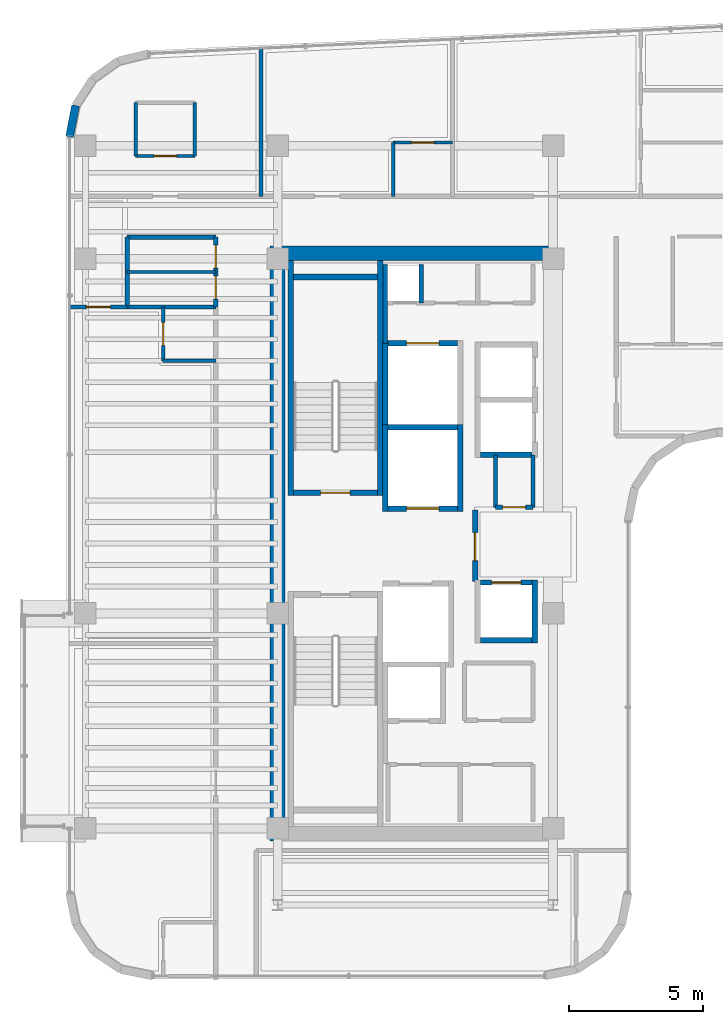
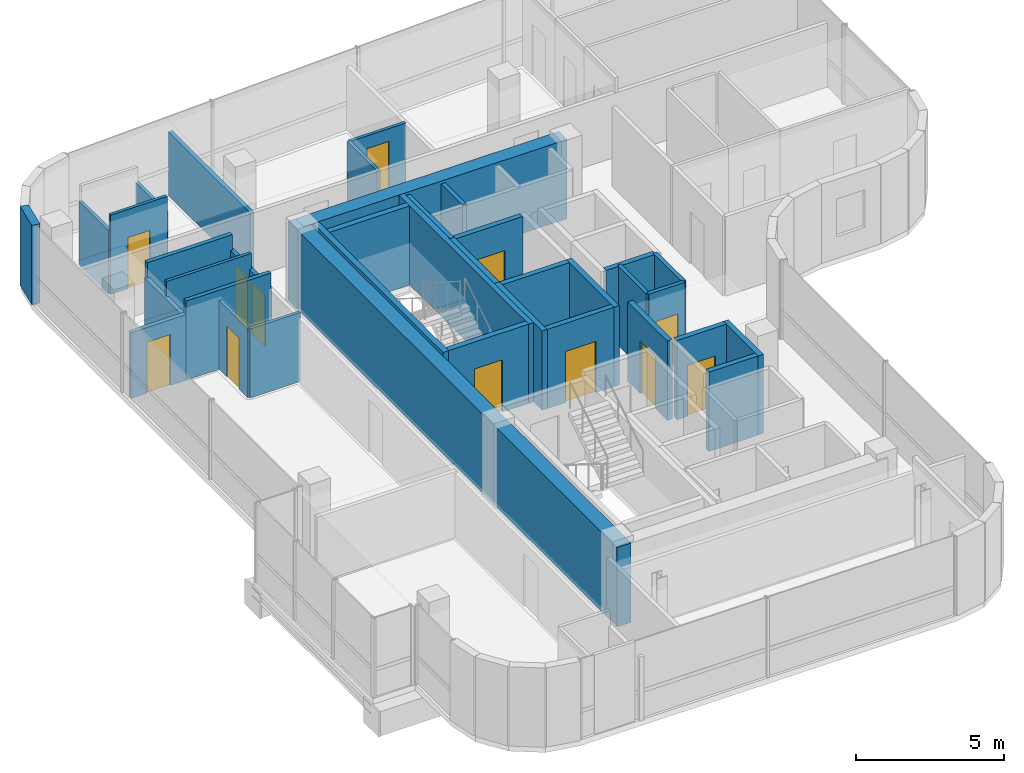
# One storey, part 15 of 19: 37 walls, 12 doors, 12 openings.
"""IFC4 building model written with IfcOpenShell, lengths in metres."""

from ifc_helpers import new_model, si_unit, direction, frame, frame_2d, origin, place, context, subcontext, project, spatial, rectangle, extrude, material, layer, layer_set, type_object, element, fill, save


model = new_model("IFC4")

# Units and contexts
model_context = context("Model", 3, precision=1e-05, world=origin(), true_north=direction((0.0, 1.0)))
body_context = subcontext(model_context, "Body", "Model", "MODEL_VIEW")
ifc_project = project(units=[si_unit("LENGTHUNIT", "METRE"), si_unit("AREAUNIT", "SQUARE_METRE"), si_unit("VOLUMEUNIT", "CUBIC_METRE"), si_unit("PLANEANGLEUNIT", "RADIAN"), si_unit("MASSUNIT", "GRAM", prefix="KILO")], contexts=[model_context])

# Site, building, storey
site_placement = place(None, origin())
site = spatial("IfcSite", under=ifc_project, at=site_placement, CompositionType="ELEMENT")
building_placement = place(site_placement, origin())
building = spatial("IfcBuilding", under=site, at=building_placement, Name="Valdorenza Pilgrim Sanctuary Tower", CompositionType="ELEMENT")
storey_placement = place(building_placement, frame((0.0, 0.0, 266.0)))
storey = spatial("IfcBuildingStorey", under=building, at=storey_placement, Name="L69", CompositionType="ELEMENT", Elevation=266.0)

# Walls
ifc_material_1 = material(Name="Acoustic twin-stud gypsum partition", Category="gypsum")
ifc_layer_1 = layer(ifc_material_1, 0.159912109375, Name="Acoustic twin-stud gypsum partition")
ifc_layer_set_1 = layer_set([ifc_layer_1], Name="Acoustic twin-stud gypsum partition")
wall_type_1 = type_object("IfcWallType", Name="WAL-COR-160", PredefinedType="PARTITIONING", material=ifc_layer_set_1)
wall_1_placement = place(storey_placement, frame((-18.64990234375, 7.449951171875, 0.0), z_axis=(0.0, 0.0, 1.0), x_axis=(0.0, 1.0, 0.0)))
element("IfcWall", 1, at=wall_1_placement, inside=storey, type_object=wall_type_1, Name="L69 Core A North Service West Wall", PredefinedType="PARTITIONING", context=body_context, shape_type="SweptSolid", body=[
    extrude(rectangle(XDim=2.929931640625, YDim=0.159912109375, at=frame_2d((1.46484375, 0.0))), origin(), (0.0, 0.0, 1.0), 3.260009765625),
])
wall_2_placement = place(storey_placement, frame((-17.300048828125, 8.949951171875, 0.0), z_axis=(0.0, 0.0, 1.0), x_axis=(0.0, 1.0, 0.0)))
element("IfcWall", 2, at=wall_2_placement, inside=storey, type_object=wall_type_1, Name="L69 Core Electrical Riser Wall", PredefinedType="PARTITIONING", context=body_context, shape_type="SweptSolid", body=[
    extrude(rectangle(XDim=1.429931640625, YDim=0.159912109375, at=frame_2d((0.71484375, 0.0))), origin(), (0.0, 0.0, 1.0), 3.260009765625),
])
wall_3_placement = place(storey_placement, frame((-13.14990234375, 1.35009765625, 0.0), z_axis=(0.0, 0.0, 1.0), x_axis=(0.0, 1.0, 0.0)))
element("IfcWall", 3, at=wall_3_placement, inside=storey, type_object=wall_type_1, Name="L69 Freed Shaft 6 East Wall", PredefinedType="PARTITIONING", context=body_context, shape_type="SweptSolid", body=[
    extrude(rectangle(XDim=1.949951171875, YDim=0.159912109375, at=frame_2d((0.97509765625, 0.0))), origin(), (0.0, 0.0, 1.0), 3.260009765625),
])
wall_4_placement = place(storey_placement, frame((-28.25, 8.800048828125, 0.0), z_axis=(0.0, 0.0, 1.0), x_axis=(0.0, 1.0, 0.0)))
element("IfcWall", 4, at=wall_4_placement, inside=storey, type_object=wall_type_1, Name="L69 Washroom West Wall", PredefinedType="PARTITIONING", context=body_context, shape_type="SweptSolid", body=[
    extrude(rectangle(XDim=2.599853515625, YDim=0.159912109375, at=frame_2d((1.2998046875, 0.0))), origin(), (0.0, 0.0, 1.0), 2.623046875),
])

# Wall, openings, doors
wall_5_placement = place(storey_placement, frame((-24.949951171875, 8.800048828125, 0.0), z_axis=(0.0, 0.0, 1.0), x_axis=(0.0, 1.0, 0.0)))
wall_5 = element("IfcWall", 5, at=wall_5_placement, inside=storey, type_object=wall_type_1, Name="L69 Washroom East Wall", PredefinedType="PARTITIONING", context=body_context, shape_type="SweptSolid", body=[
    extrude(rectangle(XDim=2.599853515625, YDim=0.159912109375, at=frame_2d((1.2998046875, 0.0))), origin(), (0.0, 0.0, 1.0), 2.623046875),
])
opening_1_placement = place(wall_5_placement, frame((0.300048828125, 0.0, 0.0)))
opening_1 = element("IfcOpeningElement", 6, at=opening_1_placement, cuts=wall_5, Name="Opening DR-WC1", PredefinedType="OPENING", context=body_context, shape_type="SweptSolid", body=[
    extrude(rectangle(XDim=0.85009765625, YDim=2.10009765625, at=frame_2d((0.425048828125, 1.050048828125))), frame((0.0, 0.0947265625, 0.0), z_axis=(0.0, -1.0, 0.0), x_axis=(1.0, 0.0, 0.0)), (0.0, 0.0, 1.0), 0.189697265625),
])
opening_2_placement = place(wall_5_placement, frame((1.449951171875, 0.0, 0.0)))
opening_2 = element("IfcOpeningElement", 7, at=opening_2_placement, cuts=wall_5, Name="Opening DR-WC1", PredefinedType="OPENING", context=body_context, shape_type="SweptSolid", body=[
    extrude(rectangle(XDim=0.85009765625, YDim=2.10009765625, at=frame_2d((0.425048828125, 1.050048828125))), frame((0.0, 0.0947265625, 0.0), z_axis=(0.0, -1.0, 0.0), x_axis=(1.0, 0.0, 0.0)), (0.0, 0.0, 1.0), 0.189697265625),
])
ifc_material_2 = material(Name="Moisture-resistant lacquered timber", Category="wood")
door_type_1 = type_object("IfcDoorType", Name="DR-BATH-850", OperationType="NOTDEFINED", PredefinedType="DOOR", material=ifc_material_2)
door_1_placement = place(opening_1_placement, origin())
door_1 = element("IfcDoor", 8, at=door_1_placement, inside=storey, type_object=door_type_1, Name="L69 Accessible Washroom Door", OperationType="SINGLE_SWING_RIGHT", OverallHeight=2.10009765625, OverallWidth=0.85009765625, PredefinedType="DOOR", context=body_context, shape_type="SweptSolid", body=[
    extrude(rectangle(XDim=0.85009765625, YDim=2.10009765625, at=frame_2d((0.425048828125, 1.050048828125))), frame((0.0, 0.02490234375, 0.0), z_axis=(0.0, -1.0, 0.0), x_axis=(1.0, 0.0, 0.0)), (0.0, 0.0, 1.0), 0.050048828125),
])
fill(opening_1, door_1)
door_2_placement = place(opening_2_placement, origin())
door_2 = element("IfcDoor", 9, at=door_2_placement, inside=storey, type_object=door_type_1, Name="L69 Public Washroom Door", OperationType="SINGLE_SWING_LEFT", OverallHeight=2.10009765625, OverallWidth=0.85009765625, PredefinedType="DOOR", context=body_context, shape_type="SweptSolid", body=[
    extrude(rectangle(XDim=0.85009765625, YDim=2.10009765625, at=frame_2d((0.425048828125, 1.050048828125))), frame((0.0, 0.02490234375, 0.0), z_axis=(0.0, -1.0, 0.0), x_axis=(1.0, 0.0, 0.0)), (0.0, 0.0, 1.0), 0.050048828125),
])
fill(opening_2, door_2)

# Walls
for number, where, z_axis, x_axis, name in (
    (10, (-28.25, 8.800048828125, 0.0), (0.0, 0.0, 1.0), (1.0, 0.0, 0.0), "L69 Washroom South Wall"),
    (11, (-28.25, 11.39990234375, 0.0), (0.0, 0.0, 1.0), (1.0, 0.0, 0.0), "L69 Washroom North Wall"),
):
    element("IfcWall", number, at=place(storey_placement, frame(where, z_axis=z_axis, x_axis=x_axis)), inside=storey, type_object=wall_type_1, Name=name, PredefinedType="PARTITIONING", context=body_context, shape_type="SweptSolid", body=[
        extrude(rectangle(XDim=3.300048828125, YDim=0.159912109375, at=frame_2d((1.64990234375, 0.0))), origin(), (0.0, 0.0, 1.0), 3.260009765625),
    ])

# Wall, opening, door
wall_6_placement = place(storey_placement, frame((-30.389892578125, 8.800048828125, 0.0), z_axis=(0.0, 0.0, 1.0), x_axis=(1.0, 0.0, 0.0)))
wall_6 = element("IfcWall", 12, at=wall_6_placement, inside=storey, type_object=wall_type_1, Name="L69 West North Alcove Wall", PredefinedType="PARTITIONING", context=body_context, shape_type="SweptSolid", body=[
    extrude(rectangle(XDim=2.139892578125, YDim=0.159912109375, at=frame_2d((1.06982421875, 0.0))), origin(), (0.0, 0.0, 1.0), 2.7060546875),
])
opening_3_placement = place(wall_6_placement, frame((0.6201171875, 0.0, 0.0)))
opening_3 = element("IfcOpeningElement", 13, at=opening_3_placement, cuts=wall_6, Name="Opening DR-RM1", PredefinedType="OPENING", context=body_context, shape_type="SweptSolid", body=[
    extrude(rectangle(XDim=0.89990234375, YDim=2.10009765625, at=frame_2d((0.449951171875, 1.050048828125))), frame((0.0, 0.0947265625, 0.0), z_axis=(0.0, -1.0, 0.0), x_axis=(1.0, 0.0, 0.0)), (0.0, 0.0, 1.0), 0.189697265625),
])
ifc_material_3 = material(Name="Solid-core European oak timber", Category="wood")
door_type_2 = type_object("IfcDoorType", Name="DR-ROOM-900", OperationType="NOTDEFINED", PredefinedType="DOOR", material=ifc_material_3)
door_3_placement = place(opening_3_placement, origin())
door_3 = element("IfcDoor", 14, at=door_3_placement, inside=storey, type_object=door_type_2, Name="L69 Pilgrim Scholar Office L69-WN Door", OperationType="SINGLE_SWING_RIGHT", OverallHeight=2.10009765625, OverallWidth=0.89990234375, PredefinedType="DOOR", context=body_context, shape_type="SweptSolid", body=[
    extrude(rectangle(XDim=0.89990234375, YDim=2.10009765625, at=frame_2d((0.449951171875, 1.050048828125))), frame((0.0, 0.02490234375, 0.0), z_axis=(0.0, -1.0, 0.0), x_axis=(1.0, 0.0, 0.0)), (0.0, 0.0, 1.0), 0.050048828125),
])
fill(opening_3, door_3)

# Walls
ifc_material_4 = material(Name="Concrete C50/60", Category="concrete")
ifc_layer_2 = layer(ifc_material_4, 0.550048828125, Name="Concrete C50/60")
ifc_layer_set_2 = layer_set([ifc_layer_2], Name="Concrete C50/60")
wall_type_2 = type_object("IfcWallType", Name="WAL-COR-550", PredefinedType="SHEAR", material=ifc_layer_set_2)
wall_7_placement = place(storey_placement, frame((-22.64990234375, -11.074951171875, 0.0), z_axis=(0.0, 0.0, 1.0), x_axis=(0.0, 1.0, 0.0)))
element("IfcWall", 15, at=wall_7_placement, inside=storey, type_object=wall_type_2, Name="L69 Split Core A Shear Wall W", PredefinedType="SHEAR", context=body_context, shape_type="SweptSolid", body=[
    extrude(rectangle(XDim=22.14990234375, YDim=0.550048828125, at=frame_2d((11.074951171875, 0.0))), origin(), (0.0, 0.0, 1.0), 3.260009765625),
])
wall_8_placement = place(storey_placement, frame((-22.64990234375, 10.800048828125, 0.0), z_axis=(0.0, 0.0, 1.0), x_axis=(1.0, 0.0, 0.0)))
element("IfcWall", 16, at=wall_8_placement, inside=storey, type_object=wall_type_2, Name="L69 Split Core A Shear Wall N", PredefinedType="SHEAR", context=body_context, shape_type="SweptSolid", body=[
    extrude(rectangle(XDim=10.25, YDim=0.550048828125, at=frame_2d((5.125, 0.0))), origin(), (0.0, 0.0, 1.0), 3.260009765625),
])
ifc_material_5 = material(Name="Honed travertine limestone", Category="masonry")
ifc_layer_3 = layer(ifc_material_5, 0.300048828125, Name="Honed travertine limestone")
ifc_layer_set_3 = layer_set([ifc_layer_3], Name="Honed travertine limestone")
wall_type_3 = type_object("IfcWallType", Name="WAL-EXT-300", PredefinedType="SOLIDWALL", material=ifc_layer_set_3)
wall_9_placement = place(storey_placement, frame((-30.389892578125, 15.13671875, 0.0), z_axis=(0.0, 0.0, 1.0), x_axis=(0.189307792679, 0.981917796779, 0.0)))
element("IfcWall", 17, at=wall_9_placement, inside=storey, type_object=wall_type_3, Name="L69 Rounded Wind-Corner Stone Pier 2", PredefinedType="SOLIDWALL", context=body_context, shape_type="SweptSolid", body=[
    extrude(rectangle(XDim=1.179931640625, YDim=0.300048828125, at=frame_2d((0.58984375, 0.0))), origin(), (0.0, 0.0, 1.0), 3.260009765625),
])

# Wall, opening, door
ifc_material_6 = material(Name="Gypsum shaftwall partition", Category="gypsum")
ifc_layer_4 = layer(ifc_material_6, 0.199951171875, Name="Gypsum shaftwall partition")
ifc_layer_set_4 = layer_set([ifc_layer_4], Name="Gypsum shaftwall partition")
wall_type_4 = type_object("IfcWallType", Name="WAL-FFL-200", PredefinedType="PARTITIONING", material=ifc_layer_set_4)
wall_10_placement = place(storey_placement, frame((-15.300048828125, -1.419921875, 0.0), z_axis=(0.0, 0.0, 1.0), x_axis=(0.0, 1.0, 0.0)))
wall_10 = element("IfcWall", 18, at=wall_10_placement, inside=storey, type_object=wall_type_4, Name="L69 Core A Firefighting Lobby East Wall", PredefinedType="PARTITIONING", context=body_context, shape_type="SweptSolid", body=[
    extrude(rectangle(XDim=2.669921875, YDim=0.199951171875, at=frame_2d((1.3349609375, 0.0))), origin(), (0.0, 0.0, 1.0), 3.260009765625),
])
opening_4_placement = place(wall_10_placement, frame((0.780029296875, 0.0, 0.0)))
opening_4 = element("IfcOpeningElement", 19, at=opening_4_placement, cuts=wall_10, Name="Opening DR-FL1", PredefinedType="OPENING", context=body_context, shape_type="SweptSolid", body=[
    extrude(rectangle(XDim=1.050048828125, YDim=2.14990234375, at=frame_2d((0.52490234375, 1.074951171875))), frame((0.0, 0.11474609375, 0.0), z_axis=(0.0, -1.0, 0.0), x_axis=(1.0, 0.0, 0.0)), (0.0, 0.0, 1.0), 0.229736328125),
])
ifc_material_7 = material(Name="Painted galvanized steel", Category="steel")
door_type_3 = type_object("IfcDoorType", Name="DR-FFL-1050", OperationType="NOTDEFINED", PredefinedType="DOOR", material=ifc_material_7)
door_4_placement = place(opening_4_placement, origin())
door_4 = element("IfcDoor", 20, at=door_4_placement, inside=storey, type_object=door_type_3, Name="L69 Core A Firefighting Lobby Door", OperationType="SINGLE_SWING_RIGHT", OverallHeight=2.14990234375, OverallWidth=1.050048828125, PredefinedType="DOOR", context=body_context, shape_type="SweptSolid", body=[
    extrude(rectangle(XDim=1.050048828125, YDim=2.14990234375, at=frame_2d((0.52490234375, 1.074951171875))), frame((0.0, 0.02490234375, 0.0), z_axis=(0.0, -1.0, 0.0), x_axis=(1.0, 0.0, 0.0)), (0.0, 0.0, 1.0), 0.050048828125),
])
fill(opening_4, door_4)

# Walls
ifc_material_8 = material(Name="Moisture-resistant gypsum partition", Category="gypsum")
ifc_layer_5 = layer(ifc_material_8, 0.1201171875, Name="Moisture-resistant gypsum partition")
ifc_layer_set_5 = layer_set([ifc_layer_5], Name="Moisture-resistant gypsum partition")
wall_type_5 = type_object("IfcWallType", Name="WAL-INT-120", PredefinedType="PARTITIONING", material=ifc_layer_set_5)
wall_11_placement = place(storey_placement, frame((-28.25, 10.10009765625, 0.0), z_axis=(0.0, 0.0, 1.0), x_axis=(1.0, 0.0, 0.0)))
element("IfcWall", 21, at=wall_11_placement, inside=storey, type_object=wall_type_5, Name="L69 Washroom Divider Wall", PredefinedType="PARTITIONING", context=body_context, shape_type="SweptSolid", body=[
    extrude(rectangle(XDim=3.300048828125, YDim=0.1201171875, at=frame_2d((1.64990234375, 0.0))), origin(), (0.0, 0.0, 1.0), 3.260009765625),
])
wall_12_placement = place(storey_placement, frame((-26.907958984375, 6.800048828125, 0.0), z_axis=(0.0, 0.0, 1.0), x_axis=(1.0, 0.0, 0.0)))
element("IfcWall", 22, at=wall_12_placement, inside=storey, type_object=wall_type_5, Name="L69 Pilgrim Family Guest Room L69-W2 En-suite South Wall", PredefinedType="PARTITIONING", context=body_context, shape_type="SweptSolid", body=[
    extrude(rectangle(XDim=1.9580078125, YDim=0.1201171875, at=frame_2d((0.97900390625, 0.0))), origin(), (0.0, 0.0, 1.0), 2.839111328125),
])

# Wall, opening, door
wall_13_placement = place(storey_placement, frame((-26.907958984375, 6.800048828125, 0.0), z_axis=(0.0, 0.0, 1.0), x_axis=(0.0, 1.0, 0.0)))
wall_13 = element("IfcWall", 23, at=wall_13_placement, inside=storey, type_object=wall_type_5, Name="L69 Pilgrim Family Guest Room L69-W2 En-suite Door Wall", PredefinedType="PARTITIONING", context=body_context, shape_type="SweptSolid", body=[
    extrude(rectangle(XDim=2.0, YDim=0.1201171875, at=frame_2d((1.0, 0.0))), origin(), (0.0, 0.0, 1.0), 2.839111328125),
])
opening_5_placement = place(wall_13_placement, frame((0.574951171875, 0.0, 0.0)))
opening_5 = element("IfcOpeningElement", 24, at=opening_5_placement, cuts=wall_13, Name="Opening DR-WC1", PredefinedType="OPENING", context=body_context, shape_type="SweptSolid", body=[
    extrude(rectangle(XDim=0.85009765625, YDim=2.10009765625, at=frame_2d((0.425048828125, 1.050048828125))), frame((0.0, 0.074951171875, 0.0), z_axis=(0.0, -1.0, 0.0), x_axis=(1.0, 0.0, 0.0)), (0.0, 0.0, 1.0), 0.14990234375),
])
door_5_placement = place(opening_5_placement, origin())
door_5 = element("IfcDoor", 25, at=door_5_placement, inside=storey, type_object=door_type_1, Name="L69 Pilgrim Family Guest Room L69-W2 En-suite Bathroom Door", OperationType="SINGLE_SWING_RIGHT", OverallHeight=2.10009765625, OverallWidth=0.85009765625, PredefinedType="DOOR", context=body_context, shape_type="SweptSolid", body=[
    extrude(rectangle(XDim=0.85009765625, YDim=2.10009765625, at=frame_2d((0.425048828125, 1.050048828125))), frame((0.0, 0.02490234375, 0.0), z_axis=(0.0, -1.0, 0.0), x_axis=(1.0, 0.0, 0.0)), (0.0, 0.0, 1.0), 0.050048828125),
])
fill(opening_5, door_5)

# Walls
for number, where, z_axis, x_axis, name in (
    (26, (-27.929931640625, 14.419921875, 0.0), (0.0, 0.0, 1.0), (0.0, 1.0, 0.0), "L69 North Family Guest Room L69-N1A En-suite West Wall"),
    (27, (-25.72998046875, 14.419921875, 0.0), (0.0, 0.0, 1.0), (0.0, 1.0, 0.0), "L69 North Family Guest Room L69-N1A En-suite East Wall"),
):
    element("IfcWall", number, at=place(storey_placement, frame(where, z_axis=z_axis, x_axis=x_axis)), inside=storey, type_object=wall_type_5, Name=name, PredefinedType="PARTITIONING", context=body_context, shape_type="SweptSolid", body=[
        extrude(rectangle(XDim=1.984130859375, YDim=0.1201171875, at=frame_2d((0.9921875, 0.0))), origin(), (0.0, 0.0, 1.0), 2.623046875),
    ])

# Wall, opening, door
wall_14_placement = place(storey_placement, frame((-27.929931640625, 14.419921875, 0.0), z_axis=(0.0, 0.0, 1.0), x_axis=(1.0, 0.0, 0.0)))
wall_14 = element("IfcWall", 28, at=wall_14_placement, inside=storey, type_object=wall_type_5, Name="L69 North Family Guest Room L69-N1A En-suite Door Wall", PredefinedType="PARTITIONING", context=body_context, shape_type="SweptSolid", body=[
    extrude(rectangle(XDim=2.199951171875, YDim=0.1201171875, at=frame_2d((1.10009765625, 0.0))), origin(), (0.0, 0.0, 1.0), 3.260009765625),
])
opening_6_placement = place(wall_14_placement, frame((0.675048828125, 0.0, 0.0)))
opening_6 = element("IfcOpeningElement", 29, at=opening_6_placement, cuts=wall_14, Name="Opening DR-WC1", PredefinedType="OPENING", context=body_context, shape_type="SweptSolid", body=[
    extrude(rectangle(XDim=0.85009765625, YDim=2.10009765625, at=frame_2d((0.425048828125, 1.050048828125))), frame((0.0, 0.074951171875, 0.0), z_axis=(0.0, -1.0, 0.0), x_axis=(1.0, 0.0, 0.0)), (0.0, 0.0, 1.0), 0.14990234375),
])
door_6_placement = place(opening_6_placement, origin())
door_6 = element("IfcDoor", 30, at=door_6_placement, inside=storey, type_object=door_type_1, Name="L69 North Family Guest Room L69-N1A En-suite Bathroom Door", OperationType="SINGLE_SWING_LEFT", OverallHeight=2.10009765625, OverallWidth=0.85009765625, PredefinedType="DOOR", context=body_context, shape_type="SweptSolid", body=[
    extrude(rectangle(XDim=0.85009765625, YDim=2.10009765625, at=frame_2d((0.425048828125, 1.050048828125))), frame((0.0, 0.02490234375, 0.0), z_axis=(0.0, -1.0, 0.0), x_axis=(1.0, 0.0, 0.0)), (0.0, 0.0, 1.0), 0.050048828125),
])
fill(opening_6, door_6)

# Wall
wall_15_placement = place(storey_placement, frame((-18.35009765625, 12.919921875, 0.0), z_axis=(0.0, 0.0, 1.0), x_axis=(0.0, 1.0, 0.0)))
element("IfcWall", 31, at=wall_15_placement, inside=storey, type_object=wall_type_5, Name="L69 North Family Guest Room L69-N1B En-suite West Wall", PredefinedType="PARTITIONING", context=body_context, shape_type="SweptSolid", body=[
    extrude(rectangle(XDim=2.0, YDim=0.1201171875, at=frame_2d((1.0, 0.0))), origin(), (0.0, 0.0, 1.0), 2.623046875),
])

# Wall, opening, door
wall_16_placement = place(storey_placement, frame((-18.35009765625, 14.919921875, 0.0), z_axis=(0.0, 0.0, 1.0), x_axis=(1.0, 0.0, 0.0)))
wall_16 = element("IfcWall", 32, at=wall_16_placement, inside=storey, type_object=wall_type_5, Name="L69 North Family Guest Room L69-N1B En-suite Door Wall", PredefinedType="PARTITIONING", context=body_context, shape_type="SweptSolid", body=[
    extrude(rectangle(XDim=2.2001953125, YDim=0.1201171875, at=frame_2d((1.10009765625, 0.0))), origin(), (0.0, 0.0, 1.0), 2.623046875),
])
opening_7_placement = place(wall_16_placement, frame((0.675048828125, 0.0, 0.0)))
opening_7 = element("IfcOpeningElement", 33, at=opening_7_placement, cuts=wall_16, Name="Opening DR-WC1", PredefinedType="OPENING", context=body_context, shape_type="SweptSolid", body=[
    extrude(rectangle(XDim=0.85009765625, YDim=2.10009765625, at=frame_2d((0.425048828125, 1.050048828125))), frame((0.0, 0.074951171875, 0.0), z_axis=(0.0, -1.0, 0.0), x_axis=(1.0, 0.0, 0.0)), (0.0, 0.0, 1.0), 0.14990234375),
])
door_7_placement = place(opening_7_placement, origin())
door_7 = element("IfcDoor", 34, at=door_7_placement, inside=storey, type_object=door_type_1, Name="L69 North Family Guest Room L69-N1B En-suite Bathroom Door", OperationType="SINGLE_SWING_LEFT", OverallHeight=2.10009765625, OverallWidth=0.85009765625, PredefinedType="DOOR", context=body_context, shape_type="SweptSolid", body=[
    extrude(rectangle(XDim=0.85009765625, YDim=2.10009765625, at=frame_2d((0.425048828125, 1.050048828125))), frame((0.0, 0.02490234375, 0.0), z_axis=(0.0, -1.0, 0.0), x_axis=(1.0, 0.0, 0.0)), (0.0, 0.0, 1.0), 0.050048828125),
])
fill(opening_7, door_7)

# Walls
ifc_material_9 = material(Name="Autoclaved aerated concrete blockwork", Category="masonry")
ifc_layer_6 = layer(ifc_material_9, 0.199951171875, Name="Autoclaved aerated concrete blockwork")
ifc_layer_set_6 = layer_set([ifc_layer_6], Name="Autoclaved aerated concrete blockwork")
wall_type_6 = type_object("IfcWallType", Name="WAL-SHF-200", PredefinedType="MOVABLE", material=ifc_layer_set_6)
for number, where, z_axis, x_axis, name in (
    (35, (-18.64990234375, 1.199951171875, 0.0), (0.0, 0.0, 1.0), (0.0, 1.0, 0.0), "L69 Lift FFL-01 Hoistway Wall West"),
    (36, (-15.85009765625, 1.199951171875, 0.0), (0.0, 0.0, 1.0), (0.0, 1.0, 0.0), "L69 Lift FFL-01 Hoistway Wall East"),
):
    element("IfcWall", number, at=place(storey_placement, frame(where, z_axis=z_axis, x_axis=x_axis)), inside=storey, type_object=wall_type_6, Name=name, PredefinedType="MOVABLE", context=body_context, shape_type="SweptSolid", body=[
        extrude(rectangle(XDim=3.22509765625, YDim=0.199951171875, at=frame_2d((1.612548828125, 0.0))), origin(), (0.0, 0.0, 1.0), 3.260009765625),
    ])

# Wall, opening, door
wall_17_placement = place(storey_placement, frame((-18.550048828125, 1.300048828125, 0.0), z_axis=(0.0, 0.0, 1.0), x_axis=(1.0, 0.0, 0.0)))
wall_17 = element("IfcWall", 37, at=wall_17_placement, inside=storey, type_object=wall_type_6, Name="L69 Lift FFL-01 Hoistway Wall South", PredefinedType="MOVABLE", context=body_context, shape_type="SweptSolid", body=[
    extrude(rectangle(XDim=2.60009765625, YDim=0.199951171875, at=frame_2d((1.300048828125, 0.0))), origin(), (0.0, 0.0, 1.0), 3.260009765625),
])
opening_8_placement = place(wall_17_placement, frame((0.699951171875, 0.0, 0.0)))
opening_8 = element("IfcOpeningElement", 38, at=opening_8_placement, cuts=wall_17, Name="Opening LD-02", PredefinedType="OPENING", context=body_context, shape_type="SweptSolid", body=[
    extrude(rectangle(XDim=1.199951171875, YDim=2.10009765625, at=frame_2d((0.60009765625, 1.050048828125))), frame((0.0, 0.11474609375, 0.0), z_axis=(0.0, -1.0, 0.0), x_axis=(1.0, 0.0, 0.0)), (0.0, 0.0, 1.0), 0.229736328125),
])
ifc_material_10 = material(Name="Brushed stainless steel Grade 316", Category="steel")
door_type_4 = type_object("IfcDoorType", Name="DR-LFT-1200", OperationType="DOUBLE_DOOR_SLIDING", PredefinedType="DOOR", material=ifc_material_10)
door_8_placement = place(opening_8_placement, origin())
door_8 = element("IfcDoor", 39, at=door_8_placement, inside=storey, type_object=door_type_4, Name="L69 Lift FFL-01 Sliding Landing Door", OperationType="DOUBLE_DOOR_SLIDING", OverallHeight=2.10009765625, OverallWidth=1.199951171875, PredefinedType="DOOR", context=body_context, shape_type="SweptSolid", body=[
    extrude(rectangle(XDim=1.199951171875, YDim=2.10009765625, at=frame_2d((0.60009765625, 1.050048828125))), frame((0.0, 0.02490234375, 0.0), z_axis=(0.0, -1.0, 0.0), x_axis=(1.0, 0.0, 0.0)), (0.0, 0.0, 1.0), 0.050048828125),
])
fill(opening_8, door_8)

# Walls
wall_18_placement = place(storey_placement, frame((-18.550048828125, 4.324951171875, 0.0), z_axis=(0.0, 0.0, 1.0), x_axis=(1.0, 0.0, 0.0)))
element("IfcWall", 40, at=wall_18_placement, inside=storey, type_object=wall_type_6, Name="L69 Lift FFL-01 Hoistway Wall North", PredefinedType="MOVABLE", context=body_context, shape_type="SweptSolid", body=[
    extrude(rectangle(XDim=2.60009765625, YDim=0.199951171875, at=frame_2d((1.300048828125, 0.0))), origin(), (0.0, 0.0, 1.0), 3.260009765625),
])
wall_19_placement = place(storey_placement, frame((-18.64990234375, 4.22509765625, 0.0), z_axis=(0.0, 0.0, 1.0), x_axis=(0.0, 1.0, 0.0)))
element("IfcWall", 41, at=wall_19_placement, inside=storey, type_object=wall_type_6, Name="L69 Lift SVL-01 Hoistway Wall West", PredefinedType="MOVABLE", context=body_context, shape_type="SweptSolid", body=[
    extrude(rectangle(XDim=3.324951171875, YDim=0.199951171875, at=frame_2d((1.66259765625, 0.0))), origin(), (0.0, 0.0, 1.0), 3.260009765625),
])

# Wall, opening, door
wall_20_placement = place(storey_placement, frame((-18.550048828125, 7.449951171875, 0.0), z_axis=(0.0, 0.0, 1.0), x_axis=(1.0, 0.0, 0.0)))
wall_20 = element("IfcWall", 42, at=wall_20_placement, inside=storey, type_object=wall_type_6, Name="L69 Lift SVL-01 Hoistway Wall North", PredefinedType="MOVABLE", context=body_context, shape_type="SweptSolid", body=[
    extrude(rectangle(XDim=2.60009765625, YDim=0.199951171875, at=frame_2d((1.300048828125, 0.0))), origin(), (0.0, 0.0, 1.0), 3.260009765625),
])
opening_9_placement = place(wall_20_placement, frame((0.699951171875, 0.0, 0.0)))
opening_9 = element("IfcOpeningElement", 43, at=opening_9_placement, cuts=wall_20, Name="Opening LD-02", PredefinedType="OPENING", context=body_context, shape_type="SweptSolid", body=[
    extrude(rectangle(XDim=1.199951171875, YDim=2.10009765625, at=frame_2d((0.60009765625, 1.050048828125))), frame((0.0, 0.11474609375, 0.0), z_axis=(0.0, -1.0, 0.0), x_axis=(1.0, 0.0, 0.0)), (0.0, 0.0, 1.0), 0.229736328125),
])
door_9_placement = place(opening_9_placement, origin())
door_9 = element("IfcDoor", 44, at=door_9_placement, inside=storey, type_object=door_type_4, Name="L69 Lift SVL-01 Sliding Landing Door", OperationType="DOUBLE_DOOR_SLIDING", OverallHeight=2.10009765625, OverallWidth=1.199951171875, PredefinedType="DOOR", context=body_context, shape_type="SweptSolid", body=[
    extrude(rectangle(XDim=1.199951171875, YDim=2.10009765625, at=frame_2d((0.60009765625, 1.050048828125))), frame((0.0, 0.02490234375, 0.0), z_axis=(0.0, -1.0, 0.0), x_axis=(1.0, 0.0, 0.0)), (0.0, 0.0, 1.0), 0.050048828125),
])
fill(opening_9, door_9)

# Walls
wall_21_placement = place(storey_placement, frame((-15.10009765625, 3.300048828125, 0.0), z_axis=(0.0, 0.0, 1.0), x_axis=(1.0, 0.0, 0.0)))
element("IfcWall", 45, at=wall_21_placement, inside=storey, type_object=wall_type_6, Name="L69 Lift PL-09 Hoistway Wall South", PredefinedType="MOVABLE", context=body_context, shape_type="SweptSolid", body=[
    extrude(rectangle(XDim=1.920166015625, YDim=0.199951171875, at=frame_2d((0.9599609375, 0.0))), origin(), (0.0, 0.0, 1.0), 3.260009765625),
])
wall_22_placement = place(storey_placement, frame((-13.080078125, -3.699951171875, 0.0), z_axis=(0.0, 0.0, 1.0), x_axis=(0.0, 1.0, 0.0)))
element("IfcWall", 46, at=wall_22_placement, inside=storey, type_object=wall_type_6, Name="L69 Lift PL-12 Hoistway Wall East", PredefinedType="MOVABLE", context=body_context, shape_type="SweptSolid", body=[
    extrude(rectangle(XDim=2.349853515625, YDim=0.199951171875, at=frame_2d((1.1748046875, 0.0))), origin(), (0.0, 0.0, 1.0), 3.260009765625),
])
wall_23_placement = place(storey_placement, frame((-15.10009765625, -3.60009765625, 0.0), z_axis=(0.0, 0.0, 1.0), x_axis=(1.0, 0.0, 0.0)))
element("IfcWall", 47, at=wall_23_placement, inside=storey, type_object=wall_type_6, Name="L69 Lift PL-12 Hoistway Wall South", PredefinedType="MOVABLE", context=body_context, shape_type="SweptSolid", body=[
    extrude(rectangle(XDim=1.920166015625, YDim=0.199951171875, at=frame_2d((0.9599609375, 0.0))), origin(), (0.0, 0.0, 1.0), 3.260009765625),
])

# Wall, opening, door
wall_24_placement = place(storey_placement, frame((-15.10009765625, -1.449951171875, 0.0), z_axis=(0.0, 0.0, 1.0), x_axis=(1.0, 0.0, 0.0)))
wall_24 = element("IfcWall", 48, at=wall_24_placement, inside=storey, type_object=wall_type_6, Name="L69 Lift PL-12 Hoistway Wall North", PredefinedType="MOVABLE", context=body_context, shape_type="SweptSolid", body=[
    extrude(rectangle(XDim=1.920166015625, YDim=0.199951171875, at=frame_2d((0.9599609375, 0.0))), origin(), (0.0, 0.0, 1.0), 3.260009765625),
])
opening_10_placement = place(wall_24_placement, frame((0.409912109375, 0.0, 0.0)))
opening_10 = element("IfcOpeningElement", 49, at=opening_10_placement, cuts=wall_24, Name="Opening LD-01", PredefinedType="OPENING", context=body_context, shape_type="SweptSolid", body=[
    extrude(rectangle(XDim=1.10009765625, YDim=2.10009765625, at=frame_2d((0.550048828125, 1.050048828125))), frame((0.0, 0.11474609375, 0.0), z_axis=(0.0, -1.0, 0.0), x_axis=(1.0, 0.0, 0.0)), (0.0, 0.0, 1.0), 0.229736328125),
])
door_type_5 = type_object("IfcDoorType", Name="DR-LFT-1100", OperationType="DOUBLE_DOOR_SLIDING", PredefinedType="DOOR", material=ifc_material_10)
door_10_placement = place(opening_10_placement, origin())
door_10 = element("IfcDoor", 50, at=door_10_placement, inside=storey, type_object=door_type_5, Name="L69 Lift PL-12 Sliding Landing Door", OperationType="DOUBLE_DOOR_SLIDING", OverallHeight=2.10009765625, OverallWidth=1.10009765625, PredefinedType="DOOR", context=body_context, shape_type="SweptSolid", body=[
    extrude(rectangle(XDim=1.10009765625, YDim=2.10009765625, at=frame_2d((0.550048828125, 1.050048828125))), frame((0.0, 0.02490234375, 0.0), z_axis=(0.0, -1.0, 0.0), x_axis=(1.0, 0.0, 0.0)), (0.0, 0.0, 1.0), 0.050048828125),
])
fill(opening_10, door_10)

# Walls
ifc_material_11 = material(Name="Concrete C40/50", Category="concrete")
ifc_layer_7 = layer(ifc_material_11, 0.219970703125, Name="Concrete C40/50")
ifc_layer_set_7 = layer_set([ifc_layer_7], Name="Concrete C40/50")
wall_type_7 = type_object("IfcWallType", Name="WAL-STR-SHF-220", PredefinedType="SHEAR", material=ifc_layer_set_7)
for number, where, z_axis, x_axis, name in (
    (51, (-22.159912109375, 1.780029296875, 0.0), (0.0, 0.0, 1.0), (0.0, 1.0, 0.0), "L69 ST-A1 Structural Stairwell Wall W"),
    (52, (-18.830078125, 1.780029296875, 0.0), (0.0, 0.0, 1.0), (0.0, 1.0, 0.0), "L69 ST-A1 Structural Stairwell Wall E"),
):
    element("IfcWall", number, at=place(storey_placement, frame(where, z_axis=z_axis, x_axis=x_axis)), inside=storey, type_object=wall_type_7, Name=name, PredefinedType="SHEAR", context=body_context, shape_type="SweptSolid", body=[
        extrude(rectangle(XDim=8.744873046875, YDim=0.219970703125, at=frame_2d((4.37255859375, 0.0))), origin(), (0.0, 0.0, 1.0), 3.260009765625),
    ])

# Wall, opening, door
wall_25_placement = place(storey_placement, frame((-22.050048828125, 1.889892578125, 0.0), z_axis=(0.0, 0.0, 1.0), x_axis=(1.0, 0.0, 0.0)))
wall_25 = element("IfcWall", 53, at=wall_25_placement, inside=storey, type_object=wall_type_7, Name="L69 ST-A1 Structural Stairwell Wall S", PredefinedType="SHEAR", context=body_context, shape_type="SweptSolid", body=[
    extrude(rectangle(XDim=3.110107421875, YDim=0.219970703125, at=frame_2d((1.55517578125, 0.0))), origin(), (0.0, 0.0, 1.0), 3.260009765625),
])
opening_11_placement = place(wall_25_placement, frame((1.0, 0.0, 0.0)))
opening_11 = element("IfcOpeningElement", 54, at=opening_11_placement, cuts=wall_25, Name="Opening DR-ST1", PredefinedType="OPENING", context=body_context, shape_type="SweptSolid", body=[
    extrude(rectangle(XDim=1.10009765625, YDim=2.14990234375, at=frame_2d((0.550048828125, 1.074951171875))), frame((0.0, 0.125, 0.0), z_axis=(0.0, -1.0, 0.0), x_axis=(1.0, 0.0, 0.0)), (0.0, 0.0, 1.0), 0.249755859375),
])
door_type_6 = type_object("IfcDoorType", Name="DR-STAIR-1100", OperationType="NOTDEFINED", PredefinedType="DOOR", material=ifc_material_7)
door_11_placement = place(opening_11_placement, frame((1.10009765625, 0.0, 0.0), z_axis=(0.0, 0.0, 1.0), x_axis=(-1.0, 0.0, 0.0)))
door_11 = element("IfcDoor", 55, at=door_11_placement, inside=storey, type_object=door_type_6, Name="L69 Exit Stair ST-A1 Door", OperationType="SINGLE_SWING_LEFT", OverallHeight=2.14990234375, OverallWidth=1.10009765625, PredefinedType="DOOR", context=body_context, shape_type="SweptSolid", body=[
    extrude(rectangle(XDim=1.10009765625, YDim=2.14990234375, at=frame_2d((0.550048828125, 1.074951171875))), frame((0.0, 0.02490234375, 0.0), z_axis=(0.0, -1.0, 0.0), x_axis=(1.0, 0.0, 0.0)), (0.0, 0.0, 1.0), 0.050048828125),
])
fill(opening_11, door_11)

# Walls
wall_26_placement = place(storey_placement, frame((-22.050048828125, 9.909912109375, 0.0), z_axis=(0.0, 0.0, 1.0), x_axis=(1.0, 0.0, 0.0)))
element("IfcWall", 56, at=wall_26_placement, inside=storey, type_object=wall_type_7, Name="L69 ST-A1 Structural Stairwell Wall N", PredefinedType="SHEAR", context=body_context, shape_type="SweptSolid", body=[
    extrude(rectangle(XDim=3.110107421875, YDim=0.219970703125, at=frame_2d((1.55517578125, 0.0))), origin(), (0.0, 0.0, 1.0), 3.260009765625),
])
ifc_layer_8 = layer(ifc_material_1, 0.14990234375, Name="Acoustic twin-stud gypsum partition")
ifc_layer_set_8 = layer_set([ifc_layer_8], Name="Acoustic twin-stud gypsum partition")
wall_type_8 = type_object("IfcWallType", Name="WAL-UNT-150", PredefinedType="PARTITIONING", material=ifc_layer_set_8)
wall_27_placement = place(storey_placement, frame((-14.550048828125, 1.35009765625, 0.0), z_axis=(0.0, 0.0, 1.0), x_axis=(0.0, 1.0, 0.0)))
element("IfcWall", 57, at=wall_27_placement, inside=storey, type_object=wall_type_8, Name="L69 Freed Shaft 6 West Wall", PredefinedType="PARTITIONING", context=body_context, shape_type="SweptSolid", body=[
    extrude(rectangle(XDim=1.949951171875, YDim=0.14990234375, at=frame_2d((0.97509765625, 0.0))), origin(), (0.0, 0.0, 1.0), 3.260009765625),
])

# Wall, opening, door
wall_28_placement = place(storey_placement, frame((-14.550048828125, 1.35009765625, 0.0), z_axis=(0.0, 0.0, 1.0), x_axis=(1.0, 0.0, 0.0)))
wall_28 = element("IfcWall", 58, at=wall_28_placement, inside=storey, type_object=wall_type_8, Name="L69 Freed Shaft 6 South Wall", PredefinedType="PARTITIONING", context=body_context, shape_type="SweptSolid", body=[
    extrude(rectangle(XDim=1.400146484375, YDim=0.14990234375, at=frame_2d((0.7001953125, 0.0))), origin(), (0.0, 0.0, 1.0), 3.260009765625),
])
opening_12_placement = place(wall_28_placement, frame((0.27490234375, 0.0, 0.0)))
opening_12 = element("IfcOpeningElement", 59, at=opening_12_placement, cuts=wall_28, Name="Opening DR-RS1", PredefinedType="OPENING", context=body_context, shape_type="SweptSolid", body=[
    extrude(rectangle(XDim=0.85009765625, YDim=2.050048828125, at=frame_2d((0.425048828125, 1.02490234375))), frame((0.0, 0.08984375, 0.0), z_axis=(0.0, -1.0, 0.0), x_axis=(1.0, 0.0, 0.0)), (0.0, 0.0, 1.0), 0.1796875),
])
door_type_7 = type_object("IfcDoorType", Name="DR-RSR-850", OperationType="NOTDEFINED", PredefinedType="DOOR", material=ifc_material_7)
door_12_placement = place(opening_12_placement, origin())
door_12 = element("IfcDoor", 60, at=door_12_placement, inside=storey, type_object=door_type_7, Name="L69 High-Rise Butler Pantry Door", OperationType="SINGLE_SWING_LEFT", OverallHeight=2.050048828125, OverallWidth=0.85009765625, PredefinedType="DOOR", context=body_context, shape_type="SweptSolid", body=[
    extrude(rectangle(XDim=0.85009765625, YDim=2.050048828125, at=frame_2d((0.425048828125, 1.02490234375))), frame((0.0, 0.02490234375, 0.0), z_axis=(0.0, -1.0, 0.0), x_axis=(1.0, 0.0, 0.0)), (0.0, 0.0, 1.0), 0.050048828125),
])
fill(opening_12, door_12)

# Wall
wall_29_placement = place(storey_placement, frame((-23.27001953125, 12.919921875, 0.0), z_axis=(0.0, 0.0, 1.0), x_axis=(0.0, 1.0, 0.0)))
element("IfcWall", 61, at=wall_29_placement, inside=storey, type_object=wall_type_8, Name="L69 North Family Guest Room L69-N1 Split Wall", PredefinedType="PARTITIONING", context=body_context, shape_type="SweptSolid", body=[
    extrude(rectangle(XDim=5.5107421875, YDim=0.14990234375, at=frame_2d((2.75537109375, 0.0))), origin(), (0.0, 0.0, 1.0), 2.623046875),
])

save(model, "model.ifc")
